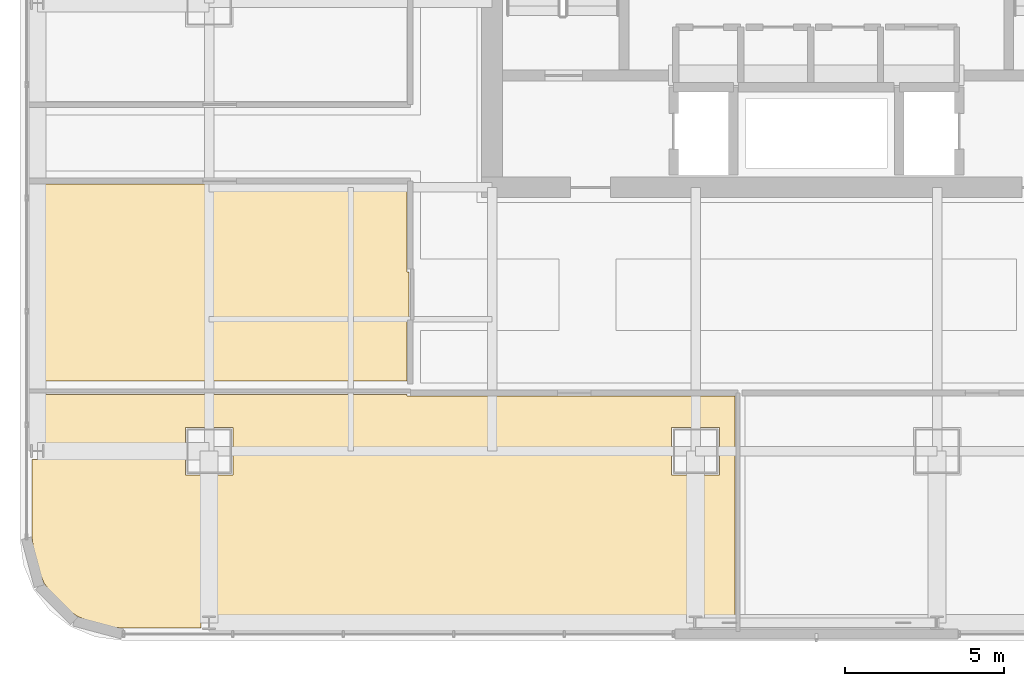
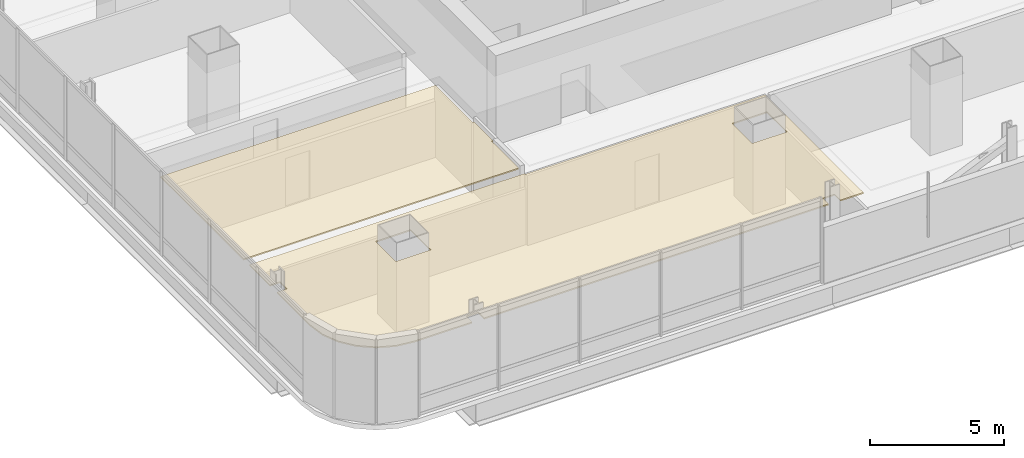
# One storey, part 31 of 38: 2 coverings.
"""IFC4 building model written with IfcOpenShell, lengths in metres."""

from ifc_helpers import new_model, si_unit, direction, frame, origin, place, context, subcontext, project, spatial, polyline, outline, extrude, material, layer, layer_set, type_object, element, save


model = new_model("IFC4")

# Units and contexts
model_context = context("Model", 3, precision=1e-05, world=origin(), true_north=direction((0.0, 1.0)))
body_context = subcontext(model_context, "Body", "Model", "MODEL_VIEW")
ifc_project = project(units=[si_unit("LENGTHUNIT", "METRE"), si_unit("AREAUNIT", "SQUARE_METRE"), si_unit("VOLUMEUNIT", "CUBIC_METRE"), si_unit("PLANEANGLEUNIT", "RADIAN"), si_unit("MASSUNIT", "GRAM", prefix="KILO")], contexts=[model_context])

# Site, building, storey
site_placement = place(None, origin())
site = spatial("IfcSite", under=ifc_project, at=site_placement, CompositionType="ELEMENT")
building_placement = place(site_placement, origin())
building = spatial("IfcBuilding", under=site, at=building_placement, Name="Punatoya Terracotta Tower", CompositionType="ELEMENT")
storey_placement = place(building_placement, frame((0.0, 0.0, 188.39990234375)))
storey = spatial("IfcBuildingStorey", under=building, at=storey_placement, Name="L44", CompositionType="ELEMENT", Elevation=188.39990234375)

# Coverings
ifc_material = material(Name="Acoustic Mineral Fibre Ceiling")
ifc_layer = layer(ifc_material, 0.06005859375)
ifc_layer_set = layer_set([ifc_layer], Name="Acoustic Mineral Fibre Ceiling")
covering_type = type_object("IfcCoveringType", Name="COV-CEIL-60", PredefinedType="CEILING", material=ifc_layer_set)
covering_1_placement = place(storey_placement, frame((0.0, 0.0, 3.22021484375)))
element("IfcCovering", 1, at=covering_1_placement, inside=storey, type_object=covering_type, Name="L44 Open Workplace Studio Acoustic Ceiling", PredefinedType="CEILING", context=body_context, shape_type="SweptSolid", body=[
    extrude(outline(polyline([(-12.8701171875, -15.77001953125), (-12.8701171875, -15.7099609375), (-24.669921875, -15.7099609375), (-24.669921875, -17.237548828125), (-24.24560546875, -17.237548828125), (-24.24560546875, -17.762451171875), (-24.669921875, -17.762451171875), (-24.669921875, -20.22509765625), (-24.57080078125, -20.97900390625), (-24.289306640625, -21.658203125), (-23.841796875, -22.24169921875), (-23.25830078125, -22.689453125), (-22.5791015625, -22.970703125), (-21.8251953125, -23.070068359375), (-19.3544921875, -23.070068359375), (-19.3544921875, -22.637451171875), (-18.845458984375, -22.637451171875), (-18.845458984375, -23.070068359375), (-4.054443359375, -23.070068359375), (-4.054443359375, -22.637451171875), (-3.54541015625, -22.637451171875), (-3.54541015625, -23.070068359375), (-2.56005859375, -23.070068359375), (-2.56005859375, -15.77001953125), (-12.8701171875, -15.77001953125)]), holes=[polyline([(-4.550048828125, -16.75), (-3.050048828125, -16.75), (-3.050048828125, -18.25), (-4.550048828125, -18.25), (-4.550048828125, -16.75)]), polyline([(-19.85009765625, -18.25), (-19.85009765625, -16.75), (-18.35009765625, -16.75), (-18.35009765625, -18.25), (-19.85009765625, -18.25)])]), origin(), (0.0, 0.0, 1.0), 0.059814453125),
])
covering_2_placement = place(storey_placement, frame((0.0, 0.0, 3.22021484375)))
element("IfcCovering", 2, at=covering_2_placement, inside=storey, type_object=covering_type, Name="L44 Project Design Office Acoustic Ceiling", PredefinedType="CEILING", context=body_context, shape_type="SweptSolid", body=[
    extrude(outline(polyline([(-12.8701171875, -13.280029296875), (-12.81005859375, -13.280029296875), (-12.81005859375, -11.8701171875), (-12.8701171875, -11.8701171875), (-12.8701171875, -9.10009765625), (-24.669921875, -9.10009765625), (-24.669921875, -15.2900390625), (-12.8701171875, -15.2900390625), (-12.8701171875, -13.280029296875)])), origin(), (0.0, 0.0, 1.0), 0.059814453125),
])

save(model, "model.ifc")
